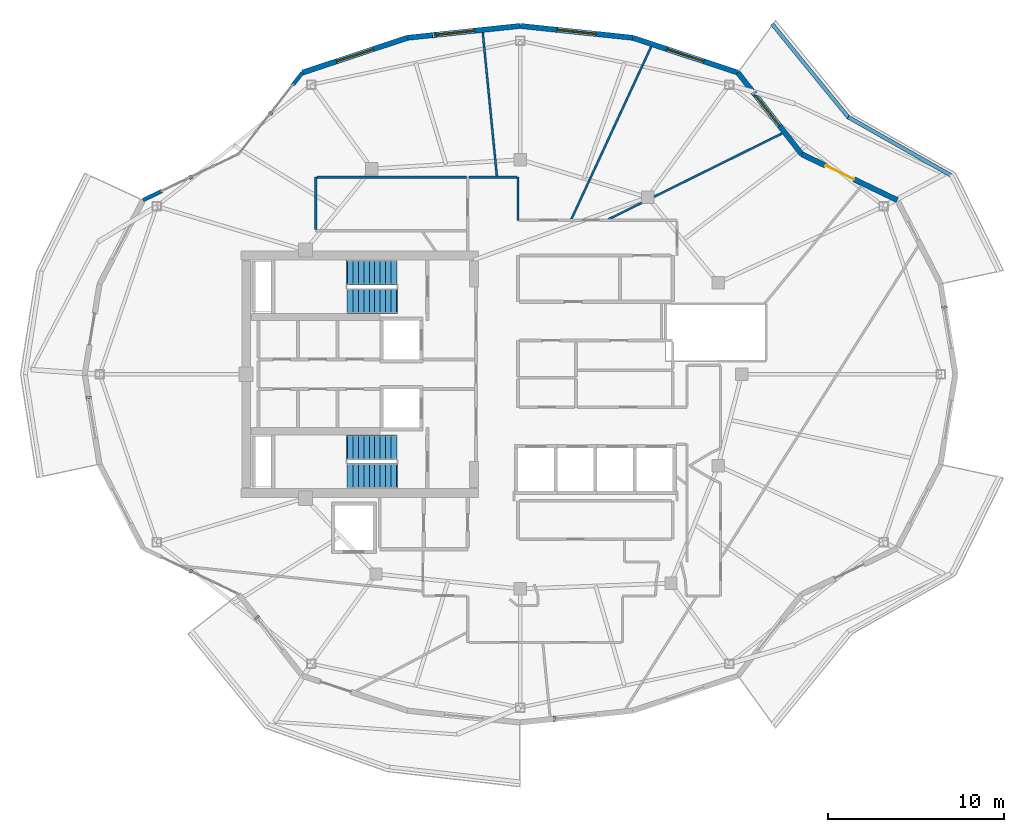
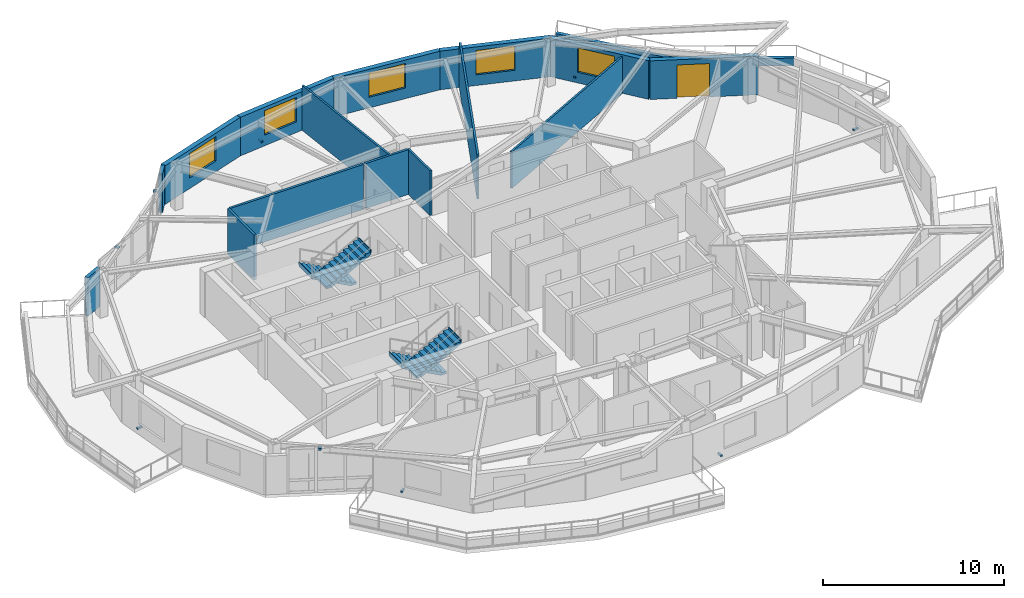
# One storey, part 10 of 14: 17 walls, 9 discrete accessories, 5 windows, 4 stair flights, 1 door, 6 openings, 2 elements without a shape of their own.
"""IFC4 building model written with IfcOpenShell, lengths in metres."""

from ifc_helpers import new_model, si_unit, direction, frame, frame_2d, origin, origin_2d, place, context, subcontext, project, spatial, polyline, rectangle, outline, extrude, material, layer, layer_set, type_object, element, fill, aggregate, save


model = new_model("IFC4")

# Units and contexts
model_context = context("Model", 3, precision=1e-05, world=origin(), true_north=direction((0.0, 1.0)))
body_context = subcontext(model_context, "Body", "Model", "MODEL_VIEW")
ifc_project = project(units=[si_unit("LENGTHUNIT", "METRE"), si_unit("AREAUNIT", "SQUARE_METRE"), si_unit("VOLUMEUNIT", "CUBIC_METRE"), si_unit("PLANEANGLEUNIT", "RADIAN"), si_unit("MASSUNIT", "GRAM", prefix="KILO")], contexts=[model_context])

# Site, building, storey
site_placement = place(None, origin())
site = spatial("IfcSite", under=ifc_project, at=site_placement, CompositionType="ELEMENT")
building_placement = place(site_placement, origin())
building = spatial("IfcBuilding", under=site, at=building_placement, Name="Kolvaren Gate Tower and Convention Centre", CompositionType="ELEMENT")
storey_placement = place(building_placement, frame((0.0, 0.0, 206.300048828125)))
storey = spatial("IfcBuildingStorey", under=building, at=storey_placement, Name="L54", CompositionType="ELEMENT", Elevation=206.300048828125)

# Walls
ifc_material_1 = material(Name="Fire-Rated Acoustic Gypsum Stud Partition", Category="gypsum")
ifc_layer_1 = layer(ifc_material_1, 0.1201171875)
ifc_layer_set_1 = layer_set([ifc_layer_1], Name="Fire-Rated Acoustic Gypsum Stud Partition")
wall_type_1 = type_object("IfcWallType", Name="ARCH-WL-PART-120", PredefinedType="PARTITIONING", material=ifc_layer_set_1)
wall_1_placement = place(storey_placement, frame((30.0, 35.75, 0.0), z_axis=(0.0, 0.0, 1.0), x_axis=(0.0, 1.0, 0.0)))
element("IfcWall", 1, at=wall_1_placement, inside=storey, type_object=wall_type_1, Name="Interior Partition WL-L54-INT-021", PredefinedType="PARTITIONING", context=body_context, shape_type="SweptSolid", body=[
    extrude(rectangle(XDim=2.449951171875, YDim=0.1201171875, at=frame_2d((1.22509765625, 0.0))), origin(), (0.0, 0.0, 1.0), 3.030029296875),
])
wall_2_placement = place(storey_placement, frame((28.000244140625, 46.42333984375, 0.0), z_axis=(0.0, 0.0, 1.0), x_axis=(0.097888269922, -0.995197410875, 0.0)))
element("IfcWall", 2, at=wall_2_placement, inside=storey, type_object=wall_type_1, Name="Interior Partition WL-L54-INT-070", PredefinedType="PARTITIONING", context=body_context, shape_type="SweptSolid", body=[
    extrude(rectangle(XDim=8.185546875, YDim=0.1201171875, at=frame_2d((4.0927734375, 0.0))), origin(), (0.0, 0.0, 1.0), 3.030029296875),
])
wall_3_placement = place(storey_placement, frame((35.157470703125, 35.81201171875, 0.0), z_axis=(0.0, 0.0, 1.0), x_axis=(0.896376577458, 0.443293391992, 0.0)))
element("IfcWall", 3, at=wall_3_placement, inside=storey, type_object=wall_type_1, Name="Interior Partition WL-L54-INT-080", PredefinedType="PARTITIONING", context=body_context, shape_type="SweptSolid", body=[
    extrude(rectangle(XDim=10.997802734375, YDim=0.1201171875, at=frame_2d((5.4990234375, 0.0))), origin(), (0.0, 0.0, 1.0), 2.47802734375),
])
wall_4_placement = place(storey_placement, frame((33.03759765625, 35.81201171875, 0.0), z_axis=(0.0, 0.0, 1.0), x_axis=(0.419785881818, 0.907623167083, 0.0)))
element("IfcWall", 4, at=wall_4_placement, inside=storey, type_object=wall_type_1, Name="Interior Partition WL-L54-INT-081", PredefinedType="PARTITIONING", context=body_context, shape_type="SweptSolid", body=[
    extrude(rectangle(XDim=10.805908203125, YDim=0.1201171875, at=frame_2d((5.40283203125, 0.0))), origin(), (0.0, 0.0, 1.0), 3.030029296875),
])
ifc_material_2 = material(Name="Bogota Sabana Bush-Hammered Sandstone Cladding", Category="masonry")
ifc_layer_2 = layer(ifc_material_2, 0.219970703125)
ifc_layer_set_2 = layer_set([ifc_layer_2], Name="Bogota Sabana Bush-Hammered Sandstone Cladding")
wall_type_2 = type_object("IfcWallType", Name="ARCH-WL-PIER-220", PredefinedType="SOLIDWALL", material=ifc_layer_set_2)
wall_5_placement = place(storey_placement, frame((17.210205078125, 43.457763671875, 0.0), z_axis=(0.0, 0.0, 1.0), x_axis=(0.616466126167, 0.787381429352, 0.0)))
element("IfcWall", 5, at=wall_5_placement, inside=storey, type_object=wall_type_2, Name="Tower L54 Unitised Curtain Wall CW-RES-UNIT Bay 08 Right Column Pier Wrap", PredefinedType="SOLIDWALL", context=body_context, shape_type="SweptSolid", body=[
    extrude(rectangle(XDim=0.875732421875, YDim=0.219970703125, at=frame_2d((0.43798828125, 0.0))), origin(), (0.0, 0.0, 1.0), 2.60498046875),
])
wall_6_placement = place(storey_placement, frame((8.69091796875, 36.89990234375, 0.0), z_axis=(0.0, 0.0, 1.0), x_axis=(0.901264843027, 0.433268603437, 0.0)))
element("IfcWall", 6, at=wall_6_placement, inside=storey, type_object=wall_type_2, Name="Tower L54 Unitised Curtain Wall CW-RES-UNIT Bay 09 Left Column Pier Wrap", PredefinedType="SOLIDWALL", context=body_context, shape_type="SweptSolid", body=[
    extrude(rectangle(XDim=1.18115234375, YDim=0.219970703125, at=frame_2d((0.590576171875, 0.0))), origin(), (0.0, 0.0, 1.0), 2.60498046875),
])
ifc_material_3 = material(Name="Piedmont Cream Honed Limestone Cladding", Category="masonry")
ifc_layer_3 = layer(ifc_material_3, 0.219970703125)
ifc_layer_set_3 = layer_set([ifc_layer_3], Name="Piedmont Cream Honed Limestone Cladding")
wall_type_3 = type_object("IfcWallType", Name="ARCH-WL-PLANTER-220", PredefinedType="PARAPET", material=ifc_layer_set_3)
wall_7_placement = place(storey_placement, frame((48.7763671875, 41.61669921875, 0.0), z_axis=(0.0, 0.0, 1.0), x_axis=(0.869860619267, -0.493297580623, 0.0)))
element("IfcWall", 7, at=wall_7_placement, inside=storey, type_object=wall_type_3, Name="Vertical-Forest Balcony Stone Planter Kerb PK-L54-1.2", PredefinedType="PARAPET", context=body_context, shape_type="SweptSolid", body=[
    extrude(rectangle(XDim=6.74267578125, YDim=0.219970703125, at=frame_2d((3.371337890625, 0.0))), origin(), (0.0, 0.0, 1.0), 0.52001953125),
])
wall_8_placement = place(storey_placement, frame((44.4482421875, 46.912841796875, 0.0), z_axis=(0.0, 0.0, 1.0), x_axis=(0.632697312147, -0.774399193699, 0.0)))
element("IfcWall", 8, at=wall_8_placement, inside=storey, type_object=wall_type_3, Name="Vertical-Forest Balcony Stone Planter Kerb PK-L54-1.3", PredefinedType="PARAPET", context=body_context, shape_type="SweptSolid", body=[
    extrude(rectangle(XDim=6.9140625, YDim=0.219970703125, at=frame_2d((3.45703125, 0.0))), origin(), (0.0, 0.0, 1.0), 0.52001953125),
])

# Wall, opening, door
ifc_layer_4 = layer(ifc_material_3, 0.300048828125)
ifc_layer_set_4 = layer_set([ifc_layer_4], Name="Piedmont Cream Honed Limestone Cladding")
wall_type_4 = type_object("IfcWallType", Name="ARCH-WL-STONE-300", PredefinedType="SOLIDWALL", material=ifc_layer_set_4)
wall_9_placement = place(storey_placement, frame((46.132568359375, 39.50732421875, 0.0), z_axis=(0.0, 0.0, 1.0), x_axis=(0.901348331142, -0.433094892545, 0.0)))
wall_9 = element("IfcWall", 9, at=wall_9_placement, inside=storey, type_object=wall_type_4, Name="Tower L54 Honed Stone Spandrel Wall EW-02", PredefinedType="SOLIDWALL", context=body_context, shape_type="SweptSolid", body=[
    extrude(rectangle(XDim=6.0205078125, YDim=0.300048828125, at=frame_2d((3.01025390625, 0.0))), origin(), (0.0, 0.0, 1.0), 2.60498046875),
])
opening_1_placement = place(wall_9_placement, frame((1.5, 0.0, 0.0)))
opening_1 = element("IfcOpeningElement", 10, at=opening_1_placement, cuts=wall_9, Name="Opening DB-01", PredefinedType="OPENING", context=body_context, shape_type="SweptSolid", body=[
    extrude(rectangle(XDim=1.800048828125, YDim=2.25, at=frame_2d((0.89990234375, 1.125))), frame((0.0, 0.159912109375, 0.0), z_axis=(0.0, -1.0, 0.0), x_axis=(1.0, 0.0, 0.0)), (0.0, 0.0, 1.0), 0.320068359375),
])
ifc_material_4 = material(Name="Anodized Architectural Aluminium Alloy 6063-T6", Category="aluminium")
door_type = type_object("IfcDoorType", Name="ARCH-DR-BALC-1800", OperationType="SLIDING_TO_LEFT", PredefinedType="DOOR", material=ifc_material_4)
door_placement = place(opening_1_placement, origin())
door = element("IfcDoor", 11, at=door_placement, inside=storey, type_object=door_type, Name="Planted Sky Terrace Access Door DB-L54-02", OperationType="SLIDING_TO_LEFT", OverallHeight=2.25, OverallWidth=1.800048828125, PredefinedType="DOOR", context=body_context, shape_type="SweptSolid", body=[
    extrude(rectangle(XDim=1.800048828125, YDim=2.25, at=frame_2d((0.89990234375, 1.125))), frame((0.0, 0.02490234375, 0.0), z_axis=(0.0, -1.0, 0.0), x_axis=(1.0, 0.0, 0.0)), (0.0, 0.0, 1.0), 0.050048828125),
])
fill(opening_1, door)

# Wall, opening, window
wall_10_placement = place(storey_placement, frame((42.5, 44.147216796875, 0.0), z_axis=(0.0, 0.0, 1.0), x_axis=(0.616450126935, -0.787393955401, 0.0)))
wall_10 = element("IfcWall", 12, at=wall_10_placement, inside=storey, type_object=wall_type_4, Name="Tower L54 Honed Stone Spandrel Wall EW-03", PredefinedType="SOLIDWALL", context=body_context, shape_type="SweptSolid", body=[
    extrude(rectangle(XDim=5.892822265625, YDim=0.300048828125, at=frame_2d((2.9462890625, 0.0))), origin(), (0.0, 0.0, 1.0), 2.60498046875),
])
opening_2_placement = place(wall_10_placement, frame((1.64990234375, 0.0, 0.719970703125)))
opening_2 = element("IfcOpeningElement", 13, at=opening_2_placement, cuts=wall_10, Name="Opening W-03", PredefinedType="OPENING", context=body_context, shape_type="SweptSolid", body=[
    extrude(rectangle(XDim=2.199951171875, YDim=1.64990234375, at=frame_2d((1.10009765625, 0.824951171875))), frame((0.0, 0.159912109375, 0.0), z_axis=(0.0, -1.0, 0.0), x_axis=(1.0, 0.0, 0.0)), (0.0, 0.0, 1.0), 0.320068359375),
])
ifc_material_5 = material(Name="Low-E Triple Insulated Glazing Unit 44 mm", Category="glass")
window_type = type_object("IfcWindowType", Name="ARCH-WN-RES-2200", PartitioningType="SINGLE_PANEL", PredefinedType="WINDOW", material=ifc_material_5)
window_1_placement = place(opening_2_placement, origin())
window_1 = element("IfcWindow", 14, at=window_1_placement, inside=storey, type_object=window_type, Name="Tower L54 Punched Stone Facade Window W-03", OverallHeight=1.64990234375, OverallWidth=2.199951171875, PartitioningType="SINGLE_PANEL", PredefinedType="WINDOW", context=body_context, shape_type="SweptSolid", body=[
    extrude(rectangle(XDim=2.199951171875, YDim=1.64990234375, at=frame_2d((1.10009765625, 0.824951171875))), frame((0.0, 0.030029296875, 0.0), z_axis=(0.0, -1.0, 0.0), x_axis=(1.0, 0.0, 0.0)), (0.0, 0.0, 1.0), 0.06005859375),
])
fill(opening_2, window_1)

wall_11_placement = place(storey_placement, frame((36.53076171875, 46.125244140625, 0.0), z_axis=(0.0, 0.0, 1.0), x_axis=(0.949240877604, -0.314550085495, 0.0)))
wall_11 = element("IfcWall", 15, at=wall_11_placement, inside=storey, type_object=wall_type_4, Name="Tower L54 Honed Stone Spandrel Wall EW-04", PredefinedType="SOLIDWALL", context=body_context, shape_type="SweptSolid", body=[
    extrude(rectangle(XDim=6.288330078125, YDim=0.300048828125, at=frame_2d((3.14404296875, 0.0))), origin(), (0.0, 0.0, 1.0), 2.60498046875),
])
opening_3_placement = place(wall_11_placement, frame((2.0439453125, 0.0, 0.719970703125)))
opening_3 = element("IfcOpeningElement", 16, at=opening_3_placement, cuts=wall_11, Name="Opening W-03", PredefinedType="OPENING", context=body_context, shape_type="SweptSolid", body=[
    extrude(rectangle(XDim=2.199951171875, YDim=1.64990234375, at=frame_2d((1.10009765625, 0.824951171875))), frame((0.0, 0.159912109375, 0.0), z_axis=(0.0, -1.0, 0.0), x_axis=(1.0, 0.0, 0.0)), (0.0, 0.0, 1.0), 0.320068359375),
])
window_2_placement = place(opening_3_placement, origin())
window_2 = element("IfcWindow", 17, at=window_2_placement, inside=storey, type_object=window_type, Name="Tower L54 Punched Stone Facade Window W-04", OverallHeight=1.64990234375, OverallWidth=2.199951171875, PartitioningType="SINGLE_PANEL", PredefinedType="WINDOW", context=body_context, shape_type="SweptSolid", body=[
    extrude(rectangle(XDim=2.199951171875, YDim=1.64990234375, at=frame_2d((1.10009765625, 0.824951171875))), frame((0.0, 0.030029296875, 0.0), z_axis=(0.0, -1.0, 0.0), x_axis=(1.0, 0.0, 0.0)), (0.0, 0.0, 1.0), 0.06005859375),
])
fill(opening_3, window_2)

wall_12_placement = place(storey_placement, frame((30.125, 46.800048828125, 0.0), z_axis=(0.0, 0.0, 1.0), x_axis=(0.994497142298, -0.104763705363, 0.0)))
wall_12 = element("IfcWall", 18, at=wall_12_placement, inside=storey, type_object=wall_type_4, Name="Tower L54 Honed Stone Spandrel Wall EW-05", PredefinedType="SOLIDWALL", context=body_context, shape_type="SweptSolid", body=[
    extrude(rectangle(XDim=6.441162109375, YDim=0.300048828125, at=frame_2d((3.220703125, 0.0))), origin(), (0.0, 0.0, 1.0), 2.60498046875),
])
opening_4_placement = place(wall_12_placement, frame((2.12109375, 0.0, 0.719970703125)))
opening_4 = element("IfcOpeningElement", 19, at=opening_4_placement, cuts=wall_12, Name="Opening W-03", PredefinedType="OPENING", context=body_context, shape_type="SweptSolid", body=[
    extrude(rectangle(XDim=2.199951171875, YDim=1.64990234375, at=frame_2d((1.10009765625, 0.824951171875))), frame((0.0, 0.159912109375, 0.0), z_axis=(0.0, -1.0, 0.0), x_axis=(1.0, 0.0, 0.0)), (0.0, 0.0, 1.0), 0.320068359375),
])
window_3_placement = place(opening_4_placement, origin())
window_3 = element("IfcWindow", 20, at=window_3_placement, inside=storey, type_object=window_type, Name="Tower L54 Punched Stone Facade Window W-05", OverallHeight=1.64990234375, OverallWidth=2.199951171875, PartitioningType="SINGLE_PANEL", PredefinedType="WINDOW", context=body_context, shape_type="SweptSolid", body=[
    extrude(rectangle(XDim=2.199951171875, YDim=1.64990234375, at=frame_2d((1.10009765625, 0.824951171875))), frame((0.0, 0.030029296875, 0.0), z_axis=(0.0, -1.0, 0.0), x_axis=(1.0, 0.0, 0.0)), (0.0, 0.0, 1.0), 0.06005859375),
])
fill(opening_4, window_3)

wall_13_placement = place(storey_placement, frame((23.71923828125, 46.125244140625, 0.0), z_axis=(0.0, 0.0, 1.0), x_axis=(0.994497142298, 0.104763705363, 0.0)))
wall_13 = element("IfcWall", 21, at=wall_13_placement, inside=storey, type_object=wall_type_4, Name="Tower L54 Honed Stone Spandrel Wall EW-06", PredefinedType="SOLIDWALL", context=body_context, shape_type="SweptSolid", body=[
    extrude(rectangle(XDim=6.441162109375, YDim=0.300048828125, at=frame_2d((3.220703125, 0.0))), origin(), (0.0, 0.0, 1.0), 2.60498046875),
])
opening_5_placement = place(wall_13_placement, frame((1.64990234375, 0.0, 0.719970703125)))
opening_5 = element("IfcOpeningElement", 22, at=opening_5_placement, cuts=wall_13, Name="Opening W-03", PredefinedType="OPENING", context=body_context, shape_type="SweptSolid", body=[
    extrude(rectangle(XDim=2.199951171875, YDim=1.64990234375, at=frame_2d((1.10009765625, 0.824951171875))), frame((0.0, 0.159912109375, 0.0), z_axis=(0.0, -1.0, 0.0), x_axis=(1.0, 0.0, 0.0)), (0.0, 0.0, 1.0), 0.320068359375),
])
window_4_placement = place(opening_5_placement, origin())
window_4 = element("IfcWindow", 23, at=window_4_placement, inside=storey, type_object=window_type, Name="Tower L54 Punched Stone Facade Window W-06", OverallHeight=1.64990234375, OverallWidth=2.199951171875, PartitioningType="SINGLE_PANEL", PredefinedType="WINDOW", context=body_context, shape_type="SweptSolid", body=[
    extrude(rectangle(XDim=2.199951171875, YDim=1.64990234375, at=frame_2d((1.10009765625, 0.824951171875))), frame((0.0, 0.030029296875, 0.0), z_axis=(0.0, -1.0, 0.0), x_axis=(1.0, 0.0, 0.0)), (0.0, 0.0, 1.0), 0.06005859375),
])
fill(opening_5, window_4)

wall_14_placement = place(storey_placement, frame((17.75, 44.147216796875, 0.0), z_axis=(0.0, 0.0, 1.0), x_axis=(0.949240877604, 0.314550085495, 0.0)))
wall_14 = element("IfcWall", 24, at=wall_14_placement, inside=storey, type_object=wall_type_4, Name="Tower L54 Honed Stone Spandrel Wall EW-07", PredefinedType="SOLIDWALL", context=body_context, shape_type="SweptSolid", body=[
    extrude(rectangle(XDim=6.288330078125, YDim=0.300048828125, at=frame_2d((3.14404296875, 0.0))), origin(), (0.0, 0.0, 1.0), 2.60498046875),
])
opening_6_placement = place(wall_14_placement, frame((2.0439453125, 0.0, 0.719970703125)))
opening_6 = element("IfcOpeningElement", 25, at=opening_6_placement, cuts=wall_14, Name="Opening W-03", PredefinedType="OPENING", context=body_context, shape_type="SweptSolid", body=[
    extrude(rectangle(XDim=2.199951171875, YDim=1.64990234375, at=frame_2d((1.10009765625, 0.824951171875))), frame((0.0, 0.159912109375, 0.0), z_axis=(0.0, -1.0, 0.0), x_axis=(1.0, 0.0, 0.0)), (0.0, 0.0, 1.0), 0.320068359375),
])
window_5_placement = place(opening_6_placement, origin())
window_5 = element("IfcWindow", 26, at=window_5_placement, inside=storey, type_object=window_type, Name="Tower L54 Punched Stone Facade Window W-07", OverallHeight=1.64990234375, OverallWidth=2.199951171875, PartitioningType="SINGLE_PANEL", PredefinedType="WINDOW", context=body_context, shape_type="SweptSolid", body=[
    extrude(rectangle(XDim=2.199951171875, YDim=1.64990234375, at=frame_2d((1.10009765625, 0.824951171875))), frame((0.0, 0.030029296875, 0.0), z_axis=(0.0, -1.0, 0.0), x_axis=(1.0, 0.0, 0.0)), (0.0, 0.0, 1.0), 0.06005859375),
])
fill(opening_6, window_5)

# Walls
ifc_material_6 = material(Name="Moisture-Resistant Cement-Board Acoustic Partition", Category="gypsum")
ifc_layer_5 = layer(ifc_material_6, 0.14990234375)
ifc_layer_set_5 = layer_set([ifc_layer_5], Name="Moisture-Resistant Cement-Board Acoustic Partition")
wall_type_5 = type_object("IfcWallType", Name="ARCH-WL-WET-150", PredefinedType="PARTITIONING", material=ifc_layer_set_5)
wall_15_placement = place(storey_placement, frame((18.5, 35.237060546875, 0.0), z_axis=(0.0, 0.0, 1.0), x_axis=(0.0, 1.0, 0.0)))
element("IfcWall", 27, at=wall_15_placement, inside=storey, type_object=wall_type_5, Name="Interior Partition WL-L54-INT-035", PredefinedType="PARTITIONING", context=body_context, shape_type="SweptSolid", body=[
    extrude(rectangle(XDim=2.962890625, YDim=0.14990234375, at=frame_2d((1.4814453125, 0.0))), origin(), (0.0, 0.0, 1.0), 3.030029296875),
])
wall_16_placement = place(storey_placement, frame((18.576904296875, 38.199951171875, 0.0), z_axis=(0.0, 0.0, 1.0), x_axis=(1.0, 0.0, 0.0)))
element("IfcWall", 28, at=wall_16_placement, inside=storey, type_object=wall_type_5, Name="Interior Partition WL-L54-INT-036", PredefinedType="PARTITIONING", context=body_context, shape_type="SweptSolid", body=[
    extrude(rectangle(XDim=8.49609375, YDim=0.14990234375, at=frame_2d((4.248046875, 0.0))), origin(), (0.0, 0.0, 1.0), 3.030029296875),
])
wall_17_placement = place(storey_placement, frame((27.22705078125, 38.199951171875, 0.0), z_axis=(0.0, 0.0, 1.0), x_axis=(1.0, 0.0, 0.0)))
element("IfcWall", 29, at=wall_17_placement, inside=storey, type_object=wall_type_5, Name="Interior Partition WL-L54-INT-036 (2)", PredefinedType="PARTITIONING", context=body_context, shape_type="SweptSolid", body=[
    extrude(rectangle(XDim=2.7109375, YDim=0.14990234375, at=frame_2d((1.35546875, 0.0))), origin(), (0.0, 0.0, 1.0), 3.030029296875),
])

# Stair, stair flights
ifc_material_7 = material(Name="Concrete C50/60", Category="concrete")
stair_type = type_object("IfcStairType", Name="STR-STAIR-CORE", PredefinedType="HALF_TURN_STAIR", material=ifc_material_7)
stair_1_placement = place(storey_placement, origin())
stair_1 = element("IfcStair", 30, at=stair_1_placement, inside=storey, type_object=stair_type, Name="L54 Tower North Exit Stair ST-T1", PredefinedType="HALF_TURN_STAIR")
stair_flight_type = type_object("IfcStairFlightType", Name="STR-SFL-1420", PredefinedType="STRAIGHT", material=ifc_material_7)
stair_flight_1_placement = place(storey_placement, frame((23.10009765625, 32.7900390625, 0.0), z_axis=(0.0, 0.0, 1.0), x_axis=(-1.0, 0.0, 0.0)))
stair_flight_1 = element("IfcStairFlight", 31, at=stair_flight_1_placement, type_object=stair_flight_type, Name="ST-T1 flight 1", NumberOfRisers=10, NumberOfTreads=9, PredefinedType="STRAIGHT", RiserHeight=0.165, TreadLength=0.31, context=body_context, shape_type="SweptSolid", body=[
    extrude(outline(polyline([(-0.034912109375, 0.0), (-0.034912109375, 0.1650390625), (0.31005859375, 0.1650390625), (0.31005859375, 0.330078125), (0.6201171875, 0.330078125), (0.6201171875, 0.4951171875), (0.929931640625, 0.4951171875), (0.929931640625, 0.659912109375), (1.239990234375, 0.659912109375), (1.239990234375, 0.824951171875), (1.550048828125, 0.824951171875), (1.550048828125, 0.989990234375), (1.860107421875, 0.989990234375), (1.860107421875, 1.155029296875), (2.169921875, 1.155029296875), (2.169921875, 1.320068359375), (2.47998046875, 1.320068359375), (2.47998046875, 1.485107421875), (2.7900390625, 1.485107421875), (2.7900390625, 1.64990234375), (2.8349609375, 1.64990234375), (2.8349609375, 1.489990234375), (2.7900390625, 1.315185546875), (0.319091796875, 0.0), (-0.034912109375, 0.0)])), frame((0.0, 0.7099609375, 0.0), z_axis=(0.0, -1.0, 0.0), x_axis=(1.0, 0.0, 0.0)), (0.0, 0.0, 1.0), 1.419921875),
])
stair_flight_2_placement = place(storey_placement, frame((20.31005859375, 31.169921875, 1.64990234375), z_axis=(0.0, 0.0, 1.0), x_axis=(1.0, 0.0, 0.0)))
stair_flight_2 = element("IfcStairFlight", 32, at=stair_flight_2_placement, type_object=stair_flight_type, Name="ST-T1 flight 2", NumberOfRisers=10, NumberOfTreads=9, PredefinedType="STRAIGHT", RiserHeight=0.165, TreadLength=0.31, context=body_context, shape_type="SweptSolid", body=[
    extrude(outline(polyline([(-0.034912109375, 0.0), (-0.034912109375, 0.1650390625), (0.31005859375, 0.1650390625), (0.31005859375, 0.330078125), (0.6201171875, 0.330078125), (0.6201171875, 0.4951171875), (0.929931640625, 0.4951171875), (0.929931640625, 0.659912109375), (1.239990234375, 0.659912109375), (1.239990234375, 0.824951171875), (1.550048828125, 0.824951171875), (1.550048828125, 0.989990234375), (1.860107421875, 0.989990234375), (1.860107421875, 1.155029296875), (2.169921875, 1.155029296875), (2.169921875, 1.320068359375), (2.47998046875, 1.320068359375), (2.47998046875, 1.485107421875), (2.7900390625, 1.485107421875), (2.7900390625, 1.64990234375), (2.8349609375, 1.64990234375), (2.8349609375, 1.489990234375), (2.7900390625, 1.315185546875), (0.319091796875, 0.0), (-0.034912109375, 0.0)])), frame((0.0, 0.7099609375, 0.0), z_axis=(0.0, -1.0, 0.0), x_axis=(1.0, 0.0, 0.0)), (0.0, 0.0, 1.0), 1.419921875),
])
aggregate(stair_1, [stair_flight_1, stair_flight_2])

stair_2_placement = place(storey_placement, origin())
stair_2 = element("IfcStair", 33, at=stair_2_placement, inside=storey, type_object=stair_type, Name="L54 Tower South Exit Stair ST-T2", PredefinedType="HALF_TURN_STAIR")
stair_flight_3_placement = place(storey_placement, frame((23.10009765625, 22.830078125, 0.0), z_axis=(0.0, 0.0, 1.0), x_axis=(-1.0, 0.0, 0.0)))
stair_flight_3 = element("IfcStairFlight", 34, at=stair_flight_3_placement, type_object=stair_flight_type, Name="ST-T2 flight 1", NumberOfRisers=10, NumberOfTreads=9, PredefinedType="STRAIGHT", RiserHeight=0.165, TreadLength=0.31, context=body_context, shape_type="SweptSolid", body=[
    extrude(outline(polyline([(-0.034912109375, 0.0), (-0.034912109375, 0.1650390625), (0.31005859375, 0.1650390625), (0.31005859375, 0.330078125), (0.6201171875, 0.330078125), (0.6201171875, 0.4951171875), (0.929931640625, 0.4951171875), (0.929931640625, 0.659912109375), (1.239990234375, 0.659912109375), (1.239990234375, 0.824951171875), (1.550048828125, 0.824951171875), (1.550048828125, 0.989990234375), (1.860107421875, 0.989990234375), (1.860107421875, 1.155029296875), (2.169921875, 1.155029296875), (2.169921875, 1.320068359375), (2.47998046875, 1.320068359375), (2.47998046875, 1.485107421875), (2.7900390625, 1.485107421875), (2.7900390625, 1.64990234375), (2.8349609375, 1.64990234375), (2.8349609375, 1.489990234375), (2.7900390625, 1.315185546875), (0.319091796875, 0.0), (-0.034912109375, 0.0)])), frame((0.0, 0.7099609375, 0.0), z_axis=(0.0, -1.0, 0.0), x_axis=(1.0, 0.0, 0.0)), (0.0, 0.0, 1.0), 1.419921875),
])
stair_flight_4_placement = place(storey_placement, frame((20.31005859375, 21.2099609375, 1.64990234375), z_axis=(0.0, 0.0, 1.0), x_axis=(1.0, 0.0, 0.0)))
stair_flight_4 = element("IfcStairFlight", 35, at=stair_flight_4_placement, type_object=stair_flight_type, Name="ST-T2 flight 2", NumberOfRisers=10, NumberOfTreads=9, PredefinedType="STRAIGHT", RiserHeight=0.165, TreadLength=0.31, context=body_context, shape_type="SweptSolid", body=[
    extrude(outline(polyline([(-0.034912109375, 0.0), (-0.034912109375, 0.1650390625), (0.31005859375, 0.1650390625), (0.31005859375, 0.330078125), (0.6201171875, 0.330078125), (0.6201171875, 0.4951171875), (0.929931640625, 0.4951171875), (0.929931640625, 0.659912109375), (1.239990234375, 0.659912109375), (1.239990234375, 0.824951171875), (1.550048828125, 0.824951171875), (1.550048828125, 0.989990234375), (1.860107421875, 0.989990234375), (1.860107421875, 1.155029296875), (2.169921875, 1.155029296875), (2.169921875, 1.320068359375), (2.47998046875, 1.320068359375), (2.47998046875, 1.485107421875), (2.7900390625, 1.485107421875), (2.7900390625, 1.64990234375), (2.8349609375, 1.64990234375), (2.8349609375, 1.489990234375), (2.7900390625, 1.315185546875), (0.319091796875, 0.0), (-0.034912109375, 0.0)])), frame((0.0, 0.7099609375, 0.0), z_axis=(0.0, -1.0, 0.0), x_axis=(1.0, 0.0, 0.0)), (0.0, 0.0, 1.0), 1.419921875),
])
aggregate(stair_2, [stair_flight_3, stair_flight_4])

# Discrete accessories
discrete_accessory_type = type_object("IfcDiscreteAccessoryType", Name="ARCH-ACC-BRACKET-120", PredefinedType="BRACKET", material=ifc_material_4)
for number, where, z_axis, x_axis, name in (
    (36, (54.248779296875, 30.805419921875, 0.289794921875), (0.0, 0.0, 1.0), (0.162375401515, -0.986729055508, 0.0), "Ceramic Fin Wall Anchor Bracket FBK-L54-00"),
    (37, (43.41845703125, 42.97412109375, 0.289794921875), (0.0, 0.0, 1.0), (0.616434119112, -0.787406487651, 0.0), "Ceramic Fin Wall Anchor Bracket FBK-L54-03"),
    (38, (25.200927734375, 46.281494140625, 0.289794921875), (0.0, 0.0, 1.0), (0.994498884311, 0.104747167526, 0.0), "Ceramic Fin Wall Anchor Bracket FBK-L54-06"),
):
    element("IfcDiscreteAccessory", number, at=place(storey_placement, frame(where, z_axis=z_axis, x_axis=x_axis)), inside=storey, type_object=discrete_accessory_type, Name=name, PredefinedType="BRACKET", context=body_context, shape_type="SweptSolid", body=[
        extrude(rectangle(XDim=0.1201171875, YDim=0.320068359375, at=origin_2d()), origin(), (0.0, 0.0, 1.0), 0.1201171875),
    ])
for number, where, z_axis, x_axis, name in (
    (39, (15.93359375, 41.827392578125, 2.849853515625), (0.0, 0.0, 1.0), (0.616434119112, 0.787406487651, 0.0), "Solar Screen Spandrel Anchor Bracket BK-L54-08"),
    (40, (11.404296875, 38.20361328125, 2.849853515625), (0.0, 0.0, 1.0), (0.90135914581, 0.433072384555, 0.0), "Solar Screen Spandrel Anchor Bracket BK-L54-09"),
):
    element("IfcDiscreteAccessory", number, at=place(storey_placement, frame(where, z_axis=z_axis, x_axis=x_axis)), inside=storey, type_object=discrete_accessory_type, Name=name, PredefinedType="BRACKET", context=body_context, shape_type="SweptSolid", body=[
        extrude(rectangle(XDim=0.179931640625, YDim=0.219970703125, at=origin_2d()), origin(), (0.0, 0.0, 1.0), 0.1201171875),
    ])
discrete_accessory_1_placement = place(storey_placement, frame((5.592041015625, 25.6806640625, 0.289794921875), z_axis=(0.0, 0.0, 1.0), x_axis=(0.162375401515, -0.986729055508, 0.0)))
element("IfcDiscreteAccessory", 41, at=discrete_accessory_1_placement, inside=storey, type_object=discrete_accessory_type, Name="Ceramic Fin Wall Anchor Bracket FBK-L54-12", PredefinedType="BRACKET", context=body_context, shape_type="SweptSolid", body=[
    extrude(rectangle(XDim=0.1201171875, YDim=0.320068359375, at=origin_2d()), origin(), (0.0, 0.0, 1.0), 0.1201171875),
])
discrete_accessory_2_placement = place(storey_placement, frame((11.404296875, 15.79638671875, 2.849853515625), z_axis=(0.0, 0.0, 1.0), x_axis=(0.90135914581, -0.433072384555, 0.0)))
element("IfcDiscreteAccessory", 42, at=discrete_accessory_2_placement, inside=storey, type_object=discrete_accessory_type, Name="Solar Screen Spandrel Anchor Bracket BK-L54-14", PredefinedType="BRACKET", context=body_context, shape_type="SweptSolid", body=[
    extrude(rectangle(XDim=0.179931640625, YDim=0.219970703125, at=origin_2d()), origin(), (0.0, 0.0, 1.0), 0.1201171875),
])
for number, where, z_axis, x_axis, name in (
    (43, (15.15673828125, 13.1650390625, 0.289794921875), (0.0, 0.0, 1.0), (0.616434119112, -0.787406487651, 0.0), "Ceramic Fin Wall Anchor Bracket FBK-L54-15"),
    (44, (32.0751953125, 7.405517578125, 0.289794921875), (0.0, 0.0, 1.0), (0.994498884311, 0.104747167526, 0.0), "Ceramic Fin Wall Anchor Bracket FBK-L54-18"),
):
    element("IfcDiscreteAccessory", number, at=place(storey_placement, frame(where, z_axis=z_axis, x_axis=x_axis)), inside=storey, type_object=discrete_accessory_type, Name=name, PredefinedType="BRACKET", context=body_context, shape_type="SweptSolid", body=[
        extrude(rectangle(XDim=0.1201171875, YDim=0.320068359375, at=origin_2d()), origin(), (0.0, 0.0, 1.0), 0.1201171875),
    ])

save(model, "model.ifc")
